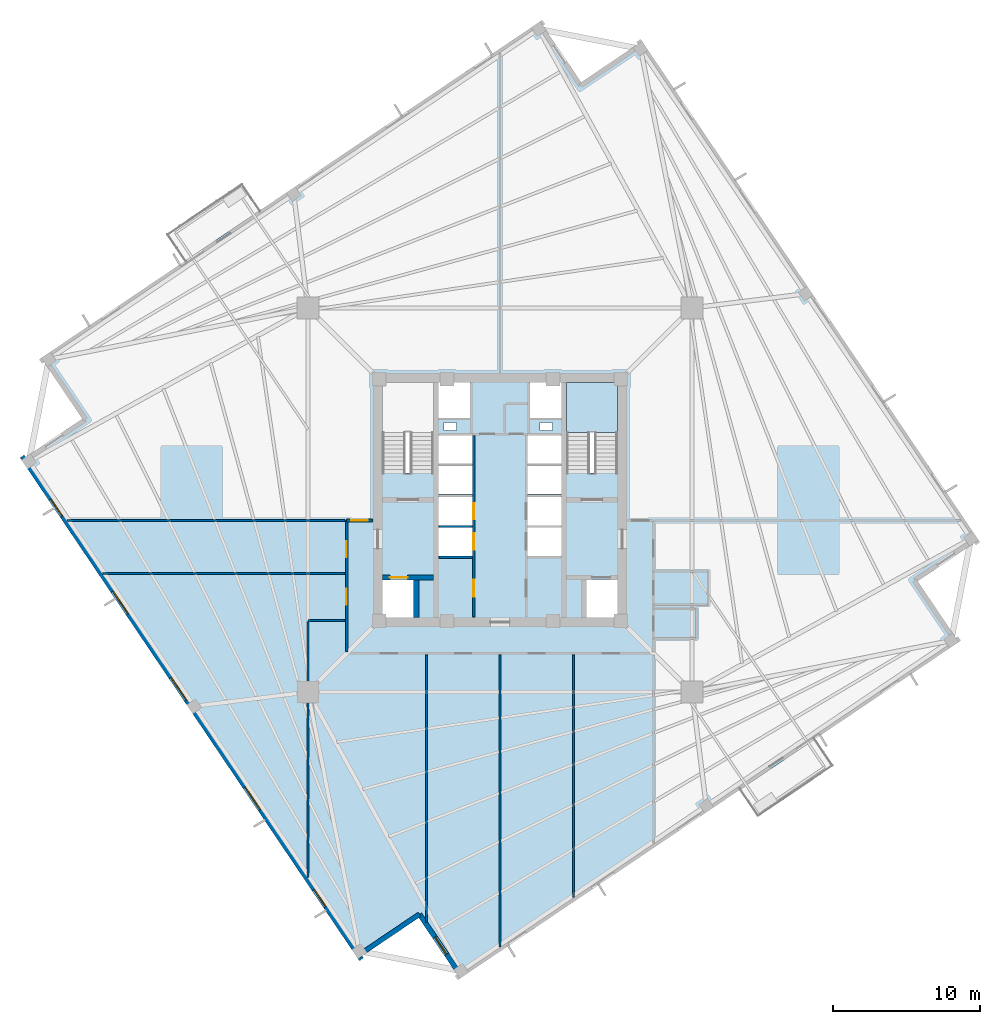
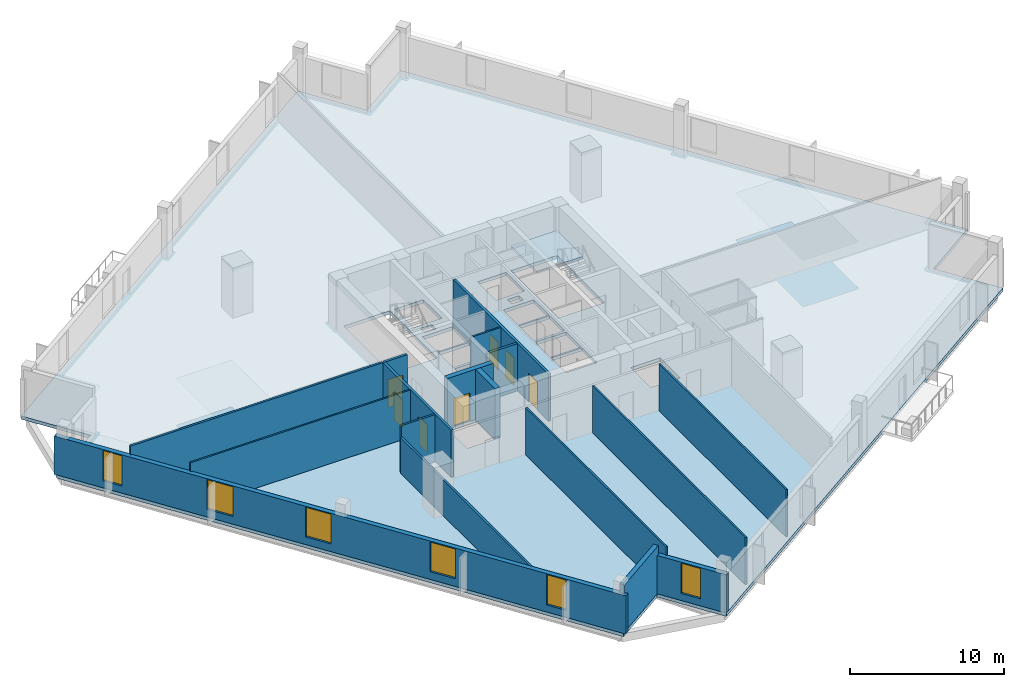
# One storey, part 2 of 8: 17 walls, 7 doors, 6 windows, 2 slabs, 13 openings, 1 element without a shape of its own.
"""IFC4 building model written with IfcOpenShell, lengths in metres."""

import ifcopenshell
import ifcopenshell.guid

model = None  # the IFC model being written
_history = None  # IfcOwnerHistory: only IFC2X3 demands one
_inside = {}  # id of a spatial element -> (the spatial element, [elements in it])
_under = {}  # id of a project, library or spatial element -> (it, [spatial elements below it])
_declared = {}  # id of a project -> (the project, [libraries it declares])
_typed = {}  # id of a type object -> (the type object, [elements of that type])
_made_of = {}  # id of a material, layer set ... -> (it, [elements and type objects made of it])


def new_model(schema):
    """Start an empty IFC model of exactly this schema.

    Asked for "IFC4X3", IfcOpenShell would pick the latest addendum, in which some entities
    have other attributes; the version numbers below select the first issue.
    IFC2X3 requires an IfcOwnerHistory on every rooted entity: one is made here for all.
    """
    global model, _history
    if schema == "IFC4X3":
        model = ifcopenshell.file(schema_version=(4, 3, 0, 0))
    else:
        model = ifcopenshell.file(schema=schema)
    _inside.clear()
    _under.clear()
    _declared.clear()
    _typed.clear()
    _made_of.clear()
    _history = None
    if model.schema == "IFC2X3":
        org = make("IfcOrganization", Name="unknown")
        user = make(
            "IfcPersonAndOrganization",
            ThePerson=make("IfcPerson", FamilyName="unknown"),
            TheOrganization=org,
        )
        app = make(
            "IfcApplication",
            ApplicationDeveloper=org,
            Version="unknown",
            ApplicationFullName="unknown",
            ApplicationIdentifier="unknown",
        )
        _history = make(
            "IfcOwnerHistory",
            OwningUser=user,
            OwningApplication=app,
            ChangeAction="ADDED",
            CreationDate=0,
        )
    return model


def make(cls, **values):
    """One entity of the class cls with the attributes given. An attribute that is None is left unset."""
    return model.create_entity(
        cls, **{name: value for name, value in values.items() if value is not None}
    )


def rooted(cls, **values):
    """An entity with a GlobalId (a new one), such as an element, a storey or a relation."""
    return make(cls, GlobalId=ifcopenshell.guid.new(), OwnerHistory=_history, **values)


def si_unit(unit_type, name, prefix=None):
    """IfcSIUnit, for example si_unit("LENGTHUNIT", "METRE", prefix="MILLI")."""
    return make("IfcSIUnit", UnitType=unit_type, Prefix=prefix, Name=name)


def assignment(units):
    """IfcUnitAssignment: the units of a project."""
    return None if units is None else make("IfcUnitAssignment", Units=units)


def point(xyz):
    """IfcCartesianPoint."""
    return None if xyz is None else make("IfcCartesianPoint", Coordinates=xyz)


def direction(xyz):
    """IfcDirection."""
    return None if xyz is None else make("IfcDirection", DirectionRatios=xyz)


def frame(location, z_axis=None, x_axis=None):
    """IfcAxis2Placement3D, a coordinate frame: its origin and axes. An axis left out is left unset."""
    return make(
        "IfcAxis2Placement3D",
        Location=point(location),
        Axis=direction(z_axis),
        RefDirection=direction(x_axis),
    )


def frame_2d(location, x_axis=None):
    """IfcAxis2Placement2D, a coordinate frame in the plane: its origin and x axis."""
    return make(
        "IfcAxis2Placement2D", Location=point(location), RefDirection=direction(x_axis)
    )


def origin():
    """The frame at (0, 0, 0) with its axes left unset."""
    return frame((0.0, 0.0, 0.0))


def place(relative_to, where):
    """IfcLocalPlacement: puts the frame where relative to a parent placement (None: the world)."""
    return make(
        "IfcLocalPlacement", PlacementRelTo=relative_to, RelativePlacement=where
    )


def context(
    kind, dimensions, precision=None, world=None, true_north=None, identifier=None
):
    """IfcGeometricRepresentationContext, for example the 3D "Model" context."""
    return make(
        "IfcGeometricRepresentationContext",
        ContextIdentifier=identifier,
        ContextType=kind,
        CoordinateSpaceDimension=dimensions,
        Precision=precision,
        WorldCoordinateSystem=world,
        TrueNorth=true_north,
    )


def subcontext(parent, identifier, kind, view, scale=None):
    """IfcGeometricRepresentationSubContext, for example "Body" below "Model"."""
    return make(
        "IfcGeometricRepresentationSubContext",
        ContextIdentifier=identifier,
        ContextType=kind,
        ParentContext=parent,
        TargetScale=scale,
        TargetView=view,
    )


def project(units=None, contexts=None):
    """IfcProject with its units and contexts."""
    return rooted(
        "IfcProject",
        Name="project",
        RepresentationContexts=contexts,
        UnitsInContext=assignment(units),
    )


def spatial(cls, under=None, at=None, **own):
    """A site, building, storey or space (cls), placed at a placement, below another one or the project."""
    s = rooted(cls, ObjectPlacement=at, **own)
    if under is not None:
        _under.setdefault(under.id(), (under, []))[1].append(s)
    return s


def polyline(points):
    """IfcPolyline through the points."""
    return make("IfcPolyline", Points=[point(p) for p in points])


def profile(cls, at=None, kind="AREA", **sizes):
    """A parametric profile (cls). Its sizes go by their IFC names, for example OverallWidth=200.0."""
    return make(cls, ProfileType=kind, Position=at, **sizes)


def rectangle(**sizes):
    """IfcRectangleProfileDef."""
    return profile("IfcRectangleProfileDef", **sizes)


def outline(outer, holes=None, kind="AREA"):
    """IfcArbitraryClosedProfileDef: a profile drawn as a closed curve; with holes, ...WithVoids."""
    if holes is None:
        return make("IfcArbitraryClosedProfileDef", ProfileType=kind, OuterCurve=outer)
    return make(
        "IfcArbitraryProfileDefWithVoids",
        ProfileType=kind,
        OuterCurve=outer,
        InnerCurves=holes,
    )


def extrude(swept, where, along, depth):
    """IfcExtrudedAreaSolid: the profile swept, set in the frame where, extruded along a direction by depth."""
    return make(
        "IfcExtrudedAreaSolid",
        SweptArea=swept,
        Position=where,
        ExtrudedDirection=direction(along),
        Depth=depth,
    )


def shape(context_of_items, identifier, shape_type, items):
    """IfcShapeRepresentation: the items that make up one representation, for example the "Body"."""
    return make(
        "IfcShapeRepresentation",
        ContextOfItems=context_of_items,
        RepresentationIdentifier=identifier,
        RepresentationType=shape_type,
        Items=items,
    )


def source(mapping_origin, context_of_items, identifier, shape_type, items):
    """IfcRepresentationMap: a shape defined once, which mapped items show again and again."""
    return make(
        "IfcRepresentationMap",
        MappingOrigin=mapping_origin,
        MappedRepresentation=shape(context_of_items, identifier, shape_type, items),
    )


def transform(
    local_origin,
    x_axis=None,
    y_axis=None,
    z_axis=None,
    scale=None,
    scale2=None,
    scale3=None,
    uniform=True,
):
    """IfcCartesianTransformationOperator3D, or its non-uniform kind. x_axis, y_axis, z_axis: its Axis1, 2, 3."""
    if uniform:
        return make(
            "IfcCartesianTransformationOperator3D",
            Axis1=direction(x_axis),
            Axis2=direction(y_axis),
            LocalOrigin=point(local_origin),
            Scale=scale,
            Axis3=direction(z_axis),
        )
    return make(
        "IfcCartesianTransformationOperator3DnonUniform",
        Axis1=direction(x_axis),
        Axis2=direction(y_axis),
        LocalOrigin=point(local_origin),
        Scale=scale,
        Axis3=direction(z_axis),
        Scale2=scale2,
        Scale3=scale3,
    )


def mapped(mapping_source, mapping_target):
    """IfcMappedItem: shows the shape of a source again, moved by a transform."""
    return make(
        "IfcMappedItem", MappingSource=mapping_source, MappingTarget=mapping_target
    )


def material(Name=None, Category=None):
    """IfcMaterial."""
    return make("IfcMaterial", Name=Name, Category=Category)


def layer(
    of_material, thickness, ventilated=None, Name=None, Category=None, Priority=None
):
    """IfcMaterialLayer: one layer of a wall or slab, of a material (None: an air gap)."""
    return make(
        "IfcMaterialLayer",
        Material=of_material,
        LayerThickness=thickness,
        IsVentilated=ventilated,
        Name=Name,
        Category=Category,
        Priority=Priority,
    )


def layer_set(layers, Name=None):
    """IfcMaterialLayerSet."""
    return make("IfcMaterialLayerSet", MaterialLayers=layers, LayerSetName=Name)


def made_of(thing, what):
    """Note that an element or type object is made of a material, layer set ...; save() writes the relation."""
    if what is not None:
        _made_of.setdefault(what.id(), (what, []))[1].append(thing)
    return thing


def type_object(cls, material=None, **own):
    """A type object (cls), such as IfcWallType, which elements share."""
    return made_of(rooted(cls, **own), material)


def element(
    cls,
    number,
    at=None,
    inside=None,
    cuts=None,
    type_object=None,
    material=None,
    context=None,
    identifier="Body",
    shape_type=None,
    held_by="IfcProductDefinitionShape",
    body=None,
    shapes=None,
    **own,
):
    """One element of the class cls, such as IfcWall. Its Tag is "e" and its number.

    at: its placement. inside: the storey or other place that contains it. cuts: it is an
    opening in that element (IfcRelVoidsElement). A single representation is given by context,
    identifier, shape_type and body (its items); several are given by shapes. held_by: the class
    of the entity that holds the representations. save() writes the other relations.
    """
    e = rooted(cls, Tag="e%d" % number, ObjectPlacement=at, **own)
    if body is not None:
        shapes = [shape(context, identifier, shape_type, body)]
    if shapes is not None:
        e.Representation = make(held_by, Representations=shapes)
    if inside is not None:
        _inside.setdefault(inside.id(), (inside, []))[1].append(e)
    if cuts is not None:
        rooted(
            "IfcRelVoidsElement", RelatingBuildingElement=cuts, RelatedOpeningElement=e
        )
    if type_object is not None:
        _typed.setdefault(type_object.id(), (type_object, []))[1].append(e)
    return made_of(e, material)


def fill(opening, filler):
    """IfcRelFillsElement: the door or window that sits in an opening."""
    return rooted(
        "IfcRelFillsElement",
        RelatingOpeningElement=opening,
        RelatedBuildingElement=filler,
    )


def aggregate(whole, parts):
    """IfcRelAggregates: a whole, such as a stair, and the parts it consists of."""
    return rooted("IfcRelAggregates", RelatingObject=whole, RelatedObjects=parts)


def save(model, path):
    """Write the relations noted so far, then the file.

    IfcRelAggregates (storeys below a building ...), IfcRelContainedInSpatialStructure (elements
    in a storey), IfcRelDefinesByType, IfcRelAssociatesMaterial and IfcRelDeclares: one each for
    every whole, place, type object, material and project.
    """
    for whole, parts in _under.values():
        aggregate(whole, parts)
    for where, things in _inside.values():
        rooted(
            "IfcRelContainedInSpatialStructure",
            RelatedElements=things,
            RelatingStructure=where,
        )
    for kind, things in _typed.values():
        rooted("IfcRelDefinesByType", RelatedObjects=things, RelatingType=kind)
    for what, things in _made_of.values():
        rooted("IfcRelAssociatesMaterial", RelatedObjects=things, RelatingMaterial=what)
    for by, libraries in _declared.values():
        rooted("IfcRelDeclares", RelatingContext=by, RelatedDefinitions=libraries)
    model.write(path)


model = new_model("IFC4")

# Units and contexts
model_context = context("Model", 3, precision=1e-05, world=origin(), true_north=direction((0.0, 1.0)))
body_context = subcontext(model_context, "Body", "Model", "MODEL_VIEW")
ifc_project = project(units=[si_unit("LENGTHUNIT", "METRE"), si_unit("AREAUNIT", "SQUARE_METRE"), si_unit("VOLUMEUNIT", "CUBIC_METRE"), si_unit("PLANEANGLEUNIT", "RADIAN"), si_unit("MASSUNIT", "GRAM", prefix="KILO"), si_unit("THERMODYNAMICTEMPERATUREUNIT", "KELVIN")], contexts=[model_context])

# Site, building, storey
site_placement = place(None, origin())
site = spatial("IfcSite", under=ifc_project, at=site_placement, CompositionType="ELEMENT")
building_placement = place(site_placement, origin())
building = spatial("IfcBuilding", under=site, at=building_placement, Name="Kosmvard Interchange Tower", CompositionType="ELEMENT")
storey_placement = place(building_placement, frame((0.0, 0.0, 148.39990234375)))
storey = spatial("IfcBuildingStorey", under=building, at=storey_placement, Name="L35", CompositionType="ELEMENT", Elevation=148.39990234375)

# Slab
ifc_material_1 = material(Name="Concrete C50/60", Category="concrete")
ifc_layer_1 = layer(ifc_material_1, 0.260009765625, Name="Concrete C50/60")
ifc_layer_set_1 = layer_set([ifc_layer_1], Name="Concrete C50/60")
slab_type_1 = type_object("IfcSlabType", Name="Mid-Rise Office Composite Slab 260 C50/60", PredefinedType="FLOOR", material=ifc_layer_set_1)
slab_1_placement = place(storey_placement, frame((0.0, 0.0, -0.260009765625)))
element("IfcSlab", 1, at=slab_1_placement, inside=storey, type_object=slab_type_1, Name="L35 Structural Floor Slab", PredefinedType="FLOOR", context=body_context, shape_type="SweptSolid", body=[
    extrude(outline(polyline([(-2.73583984375, -32.60400390625), (31.254638671875, -9.677001953125), (28.458740234375, -5.53173828125), (32.60400390625, -2.73583984375), (9.677001953125, 31.254638671875), (5.53173828125, 28.458740234375), (2.73583984375, 32.60400390625), (-31.254638671875, 9.677001953125), (-28.458740234375, 5.53173828125), (-32.60400390625, 2.73583984375), (-9.677001953125, -31.254638671875), (-5.53173828125, -28.458740234375), (-2.73583984375, -32.60400390625)]), holes=[polyline([(-8.0, 1.8349609375), (-4.5400390625, 1.8349609375), (-4.5400390625, 8.0), (-8.0, 8.0), (-8.0, 1.8349609375)]), polyline([(4.5400390625, 1.8349609375), (8.0, 1.8349609375), (8.0, 8.0), (4.5400390625, 8.0), (4.5400390625, 1.8349609375)]), polyline([(-8.0, -8.0), (-5.800048828125, -8.0), (-5.800048828125, -5.39990234375), (-8.0, -5.39990234375), (-8.0, -8.0)]), polyline([(5.800048828125, -8.0), (8.0, -8.0), (8.0, -5.39990234375), (5.800048828125, -5.39990234375), (5.800048828125, -8.0)]), polyline([(-4.179931640625, -3.800048828125), (-1.8798828125, -3.800048828125), (-1.8798828125, -1.860107421875), (-4.179931640625, -1.860107421875), (-4.179931640625, -3.800048828125)]), polyline([(-4.179931640625, -1.739990234375), (-1.8798828125, -1.739990234375), (-1.8798828125, 0.199951171875), (-4.179931640625, 0.199951171875), (-4.179931640625, -1.739990234375)]), polyline([(1.8798828125, -3.800048828125), (4.179931640625, -3.800048828125), (4.179931640625, -1.860107421875), (1.8798828125, -1.860107421875), (1.8798828125, -3.800048828125)]), polyline([(1.8798828125, -1.739990234375), (4.179931640625, -1.739990234375), (4.179931640625, 0.199951171875), (1.8798828125, 0.199951171875), (1.8798828125, -1.739990234375)]), polyline([(-4.179931640625, 0.39990234375), (-1.8798828125, 0.39990234375), (-1.8798828125, 2.340087890625), (-4.179931640625, 2.340087890625), (-4.179931640625, 0.39990234375)]), polyline([(-4.179931640625, 2.4599609375), (-1.8798828125, 2.4599609375), (-1.8798828125, 4.39990234375), (-4.179931640625, 4.39990234375), (-4.179931640625, 2.4599609375)]), polyline([(1.8798828125, 0.39990234375), (4.179931640625, 0.39990234375), (4.179931640625, 2.340087890625), (1.8798828125, 2.340087890625), (1.8798828125, 0.39990234375)]), polyline([(1.8798828125, 2.4599609375), (4.179931640625, 2.4599609375), (4.179931640625, 4.39990234375), (1.8798828125, 4.39990234375), (1.8798828125, 2.4599609375)]), polyline([(-4.179931640625, 5.60009765625), (-2.0400390625, 5.60009765625), (-2.0400390625, 8.0), (-4.179931640625, 8.0), (-4.179931640625, 5.60009765625)]), polyline([(2.0400390625, 5.60009765625), (4.179931640625, 5.60009765625), (4.179931640625, 8.0), (2.0400390625, 8.0), (2.0400390625, 5.60009765625)]), polyline([(-3.81494140625, 4.739990234375), (-2.965087890625, 4.739990234375), (-2.965087890625, 5.2900390625), (-3.81494140625, 5.2900390625), (-3.81494140625, 4.739990234375)]), polyline([(2.715087890625, 4.739990234375), (3.56494140625, 4.739990234375), (3.56494140625, 5.2900390625), (2.715087890625, 5.2900390625), (2.715087890625, 4.739990234375)])]), origin(), (0.0, 0.0, 1.0), 0.260009765625),
])

# Stair, slab
stair_type = type_object("IfcStairType", Name="Dog-Leg Core Exit Stair H4000 C50/60", PredefinedType="HALF_TURN_STAIR", material=ifc_material_1)
stair_placement = place(storey_placement, origin())
stair = element("IfcStair", 2, at=stair_placement, inside=storey, type_object=stair_type, Name="L35 Protected Exit Stair ST-2", PredefinedType="HALF_TURN_STAIR")
ifc_layer_2 = layer(ifc_material_1, 0.199951171875, Name="Concrete C50/60")
ifc_layer_set_2 = layer_set([ifc_layer_2], Name="Concrete C50/60")
slab_type_2 = type_object("IfcSlabType", Name="Stair Half-Landing Slab 200 C50/60", PredefinedType="LANDING", material=ifc_layer_set_2)
slab_2_placement = place(storey_placement, frame((0.0, 0.0, 1.800048828125)))
slab_2 = element("IfcSlab", 3, at=slab_2_placement, type_object=slab_type_2, Name="ST-2 landing 1", PredefinedType="LANDING", context=body_context, shape_type="SweptSolid", body=[
    extrude(outline(polyline([(8.0, 4.60009765625), (8.0, 8.0), (4.5400390625, 8.0), (4.5400390625, 4.60009765625), (8.0, 4.60009765625)])), origin(), (0.0, 0.0, 1.0), 0.199951171875),
])
aggregate(stair, [slab_2])

# Walls
ifc_material_2 = material(Name="Acoustic gypsum partition system")
ifc_layer_3 = layer(ifc_material_2, 0.14990234375, Name="Acoustic gypsum partition system")
ifc_layer_set_3 = layer_set([ifc_layer_3], Name="Acoustic gypsum partition system")
wall_type_1 = type_object("IfcWallType", Name="Acoustic Suite & Meeting Partition 150", PredefinedType="PARTITIONING", material=ifc_layer_set_3)
wall_1_placement = place(storey_placement, frame((-29.482421875, -1.39990234375, 0.0), z_axis=(0.0, 0.0, 1.0), x_axis=(1.0, 0.0, 0.0)))
element("IfcWall", 4, at=wall_1_placement, inside=storey, type_object=wall_type_1, Name="L35 Room Partition 02.1", PredefinedType="PARTITIONING", context=body_context, shape_type="SweptSolid", body=[
    extrude(rectangle(XDim=18.9375, YDim=0.14990234375, at=frame_2d((9.46875, 0.0))), origin(), (0.0, 0.0, 1.0), 3.739990234375),
])
wall_2_placement = place(storey_placement, frame((-10.544921875, -8.199951171875, 0.0), z_axis=(0.0, 0.0, 1.0), x_axis=(-1.0, 0.0, 0.0)))
element("IfcWall", 5, at=wall_2_placement, inside=storey, type_object=wall_type_1, Name="L35 Room Partition 04.1", PredefinedType="PARTITIONING", context=body_context, shape_type="SweptSolid", body=[
    extrude(rectangle(XDim=2.5361328125, YDim=0.14990234375, at=frame_2d((1.26806640625, 0.0))), origin(), (0.0, 0.0, 1.0), 3.739990234375),
])
wall_3_placement = place(storey_placement, frame((-13.0810546875, -8.27490234375, 0.0), z_axis=(0.0, 0.0, 1.0), x_axis=(0.0, -1.0, 0.0)))
element("IfcWall", 6, at=wall_3_placement, inside=storey, type_object=wall_type_1, Name="L35 Room Partition 05.1", PredefinedType="PARTITIONING", context=body_context, shape_type="SweptSolid", body=[
    extrude(rectangle(XDim=17.44140625, YDim=0.14990234375, at=frame_2d((8.720703125, 0.0))), origin(), (0.0, 0.0, 1.0), 2.840087890625),
])

# Wall, openings, doors
ifc_material_3 = material(Name="Fire-rated gypsum partition system")
ifc_layer_4 = layer(ifc_material_3, 0.179931640625, Name="Fire-rated gypsum partition system")
ifc_layer_set_4 = layer_set([ifc_layer_4], Name="Fire-rated gypsum partition system")
wall_type_2 = type_object("IfcWallType", Name="Corridor & Hotel Compartment Partition 180", PredefinedType="PARTITIONING", material=ifc_layer_set_4)
wall_4_placement = place(storey_placement, frame((-1.7900390625, -7.97998046875, 0.0), z_axis=(0.0, 0.0, 1.0), x_axis=(0.0, 1.0, 0.0)))
wall_4 = element("IfcWall", 7, at=wall_4_placement, inside=storey, type_object=wall_type_2, Name="L35 West Lift Bank Front Wall", PredefinedType="PARTITIONING", context=body_context, shape_type="SweptSolid", body=[
    extrude(rectangle(XDim=12.3798828125, YDim=0.179931640625, at=frame_2d((6.18994140625, 0.0))), origin(), (0.0, 0.0, 1.0), 3.739990234375),
])
opening_1_placement = place(wall_4_placement, frame((4.60009765625, 0.0, 0.0)))
opening_1 = element("IfcOpeningElement", 8, at=opening_1_placement, cuts=wall_4, Name="Opening LD-PL-M1-L35", PredefinedType="OPENING", context=body_context, shape_type="SweptSolid", body=[
    extrude(rectangle(XDim=1.10009765625, YDim=2.199951171875, at=frame_2d((0.550048828125, 1.10009765625))), frame((0.0, 0.10009765625, 0.0), z_axis=(0.0, -1.0, 0.0), x_axis=(1.0, 0.0, 0.0)), (0.0, 0.0, 1.0), 0.199951171875),
])
opening_2_placement = place(wall_4_placement, frame((6.659912109375, 0.0, 0.0)))
opening_2 = element("IfcOpeningElement", 9, at=opening_2_placement, cuts=wall_4, Name="Opening LD-PL-M2-L35", PredefinedType="OPENING", context=body_context, shape_type="SweptSolid", body=[
    extrude(rectangle(XDim=1.10009765625, YDim=2.199951171875, at=frame_2d((0.550048828125, 1.10009765625))), frame((0.0, 0.10009765625, 0.0), z_axis=(0.0, -1.0, 0.0), x_axis=(1.0, 0.0, 0.0)), (0.0, 0.0, 1.0), 0.199951171875),
])
opening_3_placement = place(wall_4_placement, frame((1.39990234375, 0.0, 0.0)))
opening_3 = element("IfcOpeningElement", 10, at=opening_3_placement, cuts=wall_4, Name="Opening L35-CD1", PredefinedType="OPENING", context=body_context, shape_type="SweptSolid", body=[
    extrude(rectangle(XDim=1.14990234375, YDim=2.25, at=frame_2d((0.574951171875, 1.125))), frame((0.0, 0.10009765625, 0.0), z_axis=(0.0, -1.0, 0.0), x_axis=(1.0, 0.0, 0.0)), (0.0, 0.0, 1.0), 0.199951171875),
])
ifc_material_4 = material(Name="Painted fire-rated steel leaf", Category="steel")
door_type_1 = type_object("IfcDoorType", Name="Plant & Riser Fire Door 1150x2250 EI60", OperationType="NOTDEFINED", PredefinedType="DOOR", material=ifc_material_4)
shared_shape_1 = source(origin(), body_context, "Body", "SweptSolid", [
    extrude(rectangle(XDim=1.14990234375, YDim=2.25, at=frame_2d((0.574951171875, 1.125))), frame((0.0, 0.02490234375, 0.0), z_axis=(0.0, -1.0, 0.0), x_axis=(1.0, 0.0, 0.0)), (0.0, 0.0, 1.0), 0.050048828125),
])
door_1_placement = place(opening_3_placement, origin())
door_1 = element("IfcDoor", 11, at=door_1_placement, inside=storey, type_object=door_type_1, Name="L35 Core Switch Door", OperationType="SINGLE_SWING_LEFT", OverallHeight=2.25, OverallWidth=1.14990234375, PredefinedType="DOOR", context=body_context, shape_type="MappedRepresentation", body=[
    mapped(shared_shape_1, transform((0.0, 0.0, 0.0), scale=1.0)),
])
fill(opening_3, door_1)
ifc_material_5 = material(Name="Brushed stainless steel sliding leaf", Category="steel")
door_type_2 = type_object("IfcDoorType", Name="Passenger Lift Sliding Landing Door 1100x2200 EI60", OperationType="DOUBLE_DOOR_SLIDING", PredefinedType="DOOR", material=ifc_material_5)
shared_shape_2 = source(origin(), body_context, "Body", "SweptSolid", [
    extrude(rectangle(XDim=1.10009765625, YDim=2.199951171875, at=frame_2d((0.550048828125, 1.10009765625))), frame((0.0, 0.02490234375, 0.0), z_axis=(0.0, -1.0, 0.0), x_axis=(1.0, 0.0, 0.0)), (0.0, 0.0, 1.0), 0.050048828125),
])
door_2_placement = place(opening_1_placement, frame((1.10009765625, 0.0, 0.0), z_axis=(0.0, 0.0, 1.0), x_axis=(-1.0, 0.0, 0.0)))
door_2 = element("IfcDoor", 12, at=door_2_placement, inside=storey, type_object=door_type_2, Name="Lift PL-M1 Landing Door L35", OperationType="DOUBLE_DOOR_SLIDING", OverallHeight=2.199951171875, OverallWidth=1.10009765625, PredefinedType="DOOR", context=body_context, shape_type="MappedRepresentation", body=[
    mapped(shared_shape_2, transform((0.0, 0.0, 0.0), scale=1.0)),
])
fill(opening_1, door_2)
door_3_placement = place(opening_2_placement, frame((1.10009765625, 0.0, 0.0), z_axis=(0.0, 0.0, 1.0), x_axis=(-1.0, 0.0, 0.0)))
door_3 = element("IfcDoor", 13, at=door_3_placement, inside=storey, type_object=door_type_2, Name="Lift PL-M2 Landing Door L35", OperationType="DOUBLE_DOOR_SLIDING", OverallHeight=2.199951171875, OverallWidth=1.10009765625, PredefinedType="DOOR", context=body_context, shape_type="MappedRepresentation", body=[
    mapped(shared_shape_2, transform((0.0, 0.0, 0.0), scale=1.0)),
])
fill(opening_2, door_3)

wall_5_placement = place(storey_placement, frame((-10.449951171875, -10.35009765625, 0.0), z_axis=(0.0, 0.0, 1.0), x_axis=(0.0, 1.0, 0.0)))
wall_5 = element("IfcWall", 14, at=wall_5_placement, inside=storey, type_object=wall_type_2, Name="L35 Corridor Wall CW", PredefinedType="PARTITIONING", context=body_context, shape_type="SweptSolid", body=[
    extrude(rectangle(XDim=8.9501953125, YDim=0.179931640625, at=frame_2d((4.47509765625, 0.0))), origin(), (0.0, 0.0, 1.0), 3.739990234375),
])
opening_4_placement = place(wall_5_placement, frame((6.435546875, 0.0, 0.0)))
opening_4 = element("IfcOpeningElement", 15, at=opening_4_placement, cuts=wall_5, Name="Opening L35-D05", PredefinedType="OPENING", context=body_context, shape_type="SweptSolid", body=[
    extrude(rectangle(XDim=1.10009765625, YDim=2.199951171875, at=frame_2d((0.550048828125, 1.10009765625))), frame((0.0, 0.10009765625, 0.0), z_axis=(0.0, -1.0, 0.0), x_axis=(1.0, 0.0, 0.0)), (0.0, 0.0, 1.0), 0.199951171875),
])
opening_5_placement = place(wall_5_placement, frame((3.199951171875, 0.0, 0.0)))
opening_5 = element("IfcOpeningElement", 16, at=opening_5_placement, cuts=wall_5, Name="Opening L35-D06", PredefinedType="OPENING", context=body_context, shape_type="SweptSolid", body=[
    extrude(rectangle(XDim=1.10009765625, YDim=2.199951171875, at=frame_2d((0.550048828125, 1.10009765625))), frame((0.0, 0.10009765625, 0.0), z_axis=(0.0, -1.0, 0.0), x_axis=(1.0, 0.0, 0.0)), (0.0, 0.0, 1.0), 0.199951171875),
])
ifc_material_6 = material(Name="Engineered oak fire-rated timber", Category="wood")
door_type_3 = type_object("IfcDoorType", Name="Office Suite Entrance Door 1100x2200 FD30S", OperationType="NOTDEFINED", PredefinedType="DOOR", material=ifc_material_6)
door_4_placement = place(opening_4_placement, origin())
door_4 = element("IfcDoor", 17, at=door_4_placement, inside=storey, type_object=door_type_3, Name="L35 Tech Hub Pantry Door", OperationType="SINGLE_SWING_LEFT", OverallHeight=2.199951171875, OverallWidth=1.10009765625, PredefinedType="DOOR", context=body_context, shape_type="MappedRepresentation", body=[
    mapped(shared_shape_2, transform((0.0, 0.0, 0.0), scale=1.0)),
])
fill(opening_4, door_4)
door_5_placement = place(opening_5_placement, origin())
door_5 = element("IfcDoor", 18, at=door_5_placement, inside=storey, type_object=door_type_3, Name="L35 West Systems Office 1 Door", OperationType="SINGLE_SWING_RIGHT", OverallHeight=2.199951171875, OverallWidth=1.10009765625, PredefinedType="DOOR", context=body_context, shape_type="MappedRepresentation", body=[
    mapped(shared_shape_2, transform((0.0, 0.0, 0.0), scale=1.0)),
])
fill(opening_5, door_5)

# Wall, opening, door
wall_6_placement = place(storey_placement, frame((-10.449951171875, -1.39990234375, 0.0), z_axis=(0.0, 0.0, 1.0), x_axis=(1.0, 0.0, 0.0)))
wall_6 = element("IfcWall", 19, at=wall_6_placement, inside=storey, type_object=wall_type_2, Name="L35 Corridor Wall CNW", PredefinedType="PARTITIONING", context=body_context, shape_type="SweptSolid", body=[
    extrude(rectangle(XDim=1.75, YDim=0.179931640625, at=frame_2d((0.875, 0.0))), origin(), (0.0, 0.0, 1.0), 3.739990234375),
])
opening_6_placement = place(wall_6_placement, frame((0.324951171875, 0.0, 0.0)))
opening_6 = element("IfcOpeningElement", 20, at=opening_6_placement, cuts=wall_6, Name="Opening L35-D03", PredefinedType="OPENING", context=body_context, shape_type="SweptSolid", body=[
    extrude(rectangle(XDim=1.10009765625, YDim=2.199951171875, at=frame_2d((0.550048828125, 1.10009765625))), frame((0.0, 0.10009765625, 0.0), z_axis=(0.0, -1.0, 0.0), x_axis=(1.0, 0.0, 0.0)), (0.0, 0.0, 1.0), 0.199951171875),
])
door_6_placement = place(opening_6_placement, origin())
door_6 = element("IfcDoor", 21, at=door_6_placement, inside=storey, type_object=door_type_3, Name="L35 North-West Technology Workplace Door", OperationType="SINGLE_SWING_LEFT", OverallHeight=2.199951171875, OverallWidth=1.10009765625, PredefinedType="DOOR", context=body_context, shape_type="MappedRepresentation", body=[
    mapped(shared_shape_2, transform((0.0, 0.0, 0.0), scale=1.0)),
])
fill(opening_6, door_6)

# Wall, openings, windows
ifc_material_7 = material(Name="Precast concrete C45/55", Category="concrete")
ifc_layer_5 = layer(ifc_material_7, 0.340087890625, Name="Precast concrete C45/55")
ifc_layer_set_5 = layer_set([ifc_layer_5], Name="Precast concrete C45/55")
wall_type_3 = type_object("IfcWallType", Name="Mid Tower Precast Pier Wall 340 C45/55", PredefinedType="STANDARD", material=ifc_layer_set_5)
wall_7_placement = place(storey_placement, frame((-32.55810546875, 2.971923828125, 0.0), z_axis=(0.0, 0.0, 1.0), x_axis=(0.559194910251, -0.829036218961, 0.0)))
wall_7 = element("IfcWall", 22, at=wall_7_placement, inside=storey, type_object=wall_type_3, Name="L35 Precast Facade Wall F-W", PredefinedType="STANDARD", context=body_context, shape_type="SweptSolid", body=[
    extrude(rectangle(XDim=41.340087890625, YDim=0.340087890625, at=frame_2d((20.669921875, 0.0))), origin(), (0.0, 0.0, 1.0), 3.0400390625),
])
opening_7_placement = place(wall_7_placement, frame((3.5107421875, 0.0, 0.56005859375)))
opening_7 = element("IfcOpeningElement", 23, at=opening_7_placement, cuts=wall_7, Name="Opening L35-W16", PredefinedType="OPENING", context=body_context, shape_type="SweptSolid", body=[
    extrude(rectangle(XDim=1.39990234375, YDim=2.39990234375, at=frame_2d((0.699951171875, 1.199951171875))), frame((0.0, 0.18017578125, 0.0), z_axis=(0.0, -1.0, 0.0), x_axis=(1.0, 0.0, 0.0)), (0.0, 0.0, 1.0), 0.360107421875),
])
opening_8_placement = place(wall_7_placement, frame((11.063720703125, 0.0, 0.610107421875)))
opening_8 = element("IfcOpeningElement", 24, at=opening_8_placement, cuts=wall_7, Name="Opening L35-W17", PredefinedType="OPENING", context=body_context, shape_type="SweptSolid", body=[
    extrude(rectangle(XDim=1.85009765625, YDim=2.35009765625, at=frame_2d((0.925048828125, 1.175048828125))), frame((0.0, 0.18017578125, 0.0), z_axis=(0.0, -1.0, 0.0), x_axis=(1.0, 0.0, 0.0)), (0.0, 0.0, 1.0), 0.360107421875),
])
opening_9_placement = place(wall_7_placement, frame((18.168212890625, 0.0, 0.610107421875)))
opening_9 = element("IfcOpeningElement", 25, at=opening_9_placement, cuts=wall_7, Name="Opening L35-W18", PredefinedType="OPENING", context=body_context, shape_type="SweptSolid", body=[
    extrude(rectangle(XDim=1.85009765625, YDim=2.35009765625, at=frame_2d((0.925048828125, 1.175048828125))), frame((0.0, 0.18017578125, 0.0), z_axis=(0.0, -1.0, 0.0), x_axis=(1.0, 0.0, 0.0)), (0.0, 0.0, 1.0), 0.360107421875),
])
opening_10_placement = place(wall_7_placement, frame((27.186279296875, 0.0, 0.610107421875)))
opening_10 = element("IfcOpeningElement", 26, at=opening_10_placement, cuts=wall_7, Name="Opening L35-W19", PredefinedType="OPENING", context=body_context, shape_type="SweptSolid", body=[
    extrude(rectangle(XDim=1.85009765625, YDim=2.35009765625, at=frame_2d((0.925048828125, 1.175048828125))), frame((0.0, 0.18017578125, 0.0), z_axis=(0.0, -1.0, 0.0), x_axis=(1.0, 0.0, 0.0)), (0.0, 0.0, 1.0), 0.360107421875),
])
opening_11_placement = place(wall_7_placement, frame((35.602294921875, 0.0, 0.56005859375)))
opening_11 = element("IfcOpeningElement", 27, at=opening_11_placement, cuts=wall_7, Name="Opening L35-W20", PredefinedType="OPENING", context=body_context, shape_type="SweptSolid", body=[
    extrude(rectangle(XDim=1.39990234375, YDim=2.39990234375, at=frame_2d((0.699951171875, 1.199951171875))), frame((0.0, 0.18017578125, 0.0), z_axis=(0.0, -1.0, 0.0), x_axis=(1.0, 0.0, 0.0)), (0.0, 0.0, 1.0), 0.360107421875),
])
ifc_material_8 = material(Name="Low-E solar-control double glazing", Category="glass")
window_type_1 = type_object("IfcWindowType", Name="Notched Corner Feature Window 1400x2400", PartitioningType="SINGLE_PANEL", PredefinedType="WINDOW", material=ifc_material_8)
shared_shape_3 = source(origin(), body_context, "Body", "SweptSolid", [
    extrude(rectangle(XDim=1.39990234375, YDim=2.39990234375, at=frame_2d((0.699951171875, 1.199951171875))), frame((0.0, 0.030029296875, 0.0), z_axis=(0.0, -1.0, 0.0), x_axis=(1.0, 0.0, 0.0)), (0.0, 0.0, 1.0), 0.06005859375),
])
window_1_placement = place(opening_7_placement, origin())
window_1 = element("IfcWindow", 28, at=window_1_placement, inside=storey, type_object=window_type_1, Name="L35 Facade Punched Window 16", OverallHeight=2.39990234375, OverallWidth=1.39990234375, PartitioningType="SINGLE_PANEL", PredefinedType="WINDOW", context=body_context, shape_type="MappedRepresentation", body=[
    mapped(shared_shape_3, transform((0.0, 0.0, 0.0), scale=1.0)),
])
fill(opening_7, window_1)
window_2_placement = place(opening_11_placement, origin())
window_2 = element("IfcWindow", 29, at=window_2_placement, inside=storey, type_object=window_type_1, Name="L35 Facade Punched Window 20", OverallHeight=2.39990234375, OverallWidth=1.39990234375, PartitioningType="SINGLE_PANEL", PredefinedType="WINDOW", context=body_context, shape_type="MappedRepresentation", body=[
    mapped(shared_shape_3, transform((0.0, 0.0, 0.0), scale=1.0)),
])
fill(opening_11, window_2)
window_type_2 = type_object("IfcWindowType", Name="Zone 3 Office Punched Window 1850x2350", PartitioningType="SINGLE_PANEL", PredefinedType="WINDOW", material=ifc_material_8)
shared_shape_4 = source(origin(), body_context, "Body", "SweptSolid", [
    extrude(rectangle(XDim=1.85009765625, YDim=2.35009765625, at=frame_2d((0.925048828125, 1.175048828125))), frame((0.0, 0.030029296875, 0.0), z_axis=(0.0, -1.0, 0.0), x_axis=(1.0, 0.0, 0.0)), (0.0, 0.0, 1.0), 0.06005859375),
])
window_3_placement = place(opening_8_placement, origin())
window_3 = element("IfcWindow", 30, at=window_3_placement, inside=storey, type_object=window_type_2, Name="L35 Facade Punched Window 17", OverallHeight=2.35009765625, OverallWidth=1.85009765625, PartitioningType="SINGLE_PANEL", PredefinedType="WINDOW", context=body_context, shape_type="MappedRepresentation", body=[
    mapped(shared_shape_4, transform((0.0, 0.0, 0.0), scale=1.0)),
])
fill(opening_8, window_3)
window_4_placement = place(opening_9_placement, origin())
window_4 = element("IfcWindow", 31, at=window_4_placement, inside=storey, type_object=window_type_2, Name="L35 Facade Punched Window 18", OverallHeight=2.35009765625, OverallWidth=1.85009765625, PartitioningType="SINGLE_PANEL", PredefinedType="WINDOW", context=body_context, shape_type="MappedRepresentation", body=[
    mapped(shared_shape_4, transform((0.0, 0.0, 0.0), scale=1.0)),
])
fill(opening_9, window_4)
window_5_placement = place(opening_10_placement, origin())
window_5 = element("IfcWindow", 32, at=window_5_placement, inside=storey, type_object=window_type_2, Name="L35 Facade Punched Window 19", OverallHeight=2.35009765625, OverallWidth=1.85009765625, PartitioningType="SINGLE_PANEL", PredefinedType="WINDOW", context=body_context, shape_type="MappedRepresentation", body=[
    mapped(shared_shape_4, transform((0.0, 0.0, 0.0), scale=1.0)),
])
fill(opening_10, window_5)

# Wall
wall_8_placement = place(storey_placement, frame((-9.631103515625, -31.018798828125, 0.0), z_axis=(0.0, 0.0, 1.0), x_axis=(0.829025804298, 0.559210350234, 0.0)))
element("IfcWall", 33, at=wall_8_placement, inside=storey, type_object=wall_type_3, Name="L35 Precast Facade Wall N-SW1", PredefinedType="STANDARD", context=body_context, shape_type="SweptSolid", body=[
    extrude(rectangle(XDim=5.000244140625, YDim=0.340087890625, at=frame_2d((2.5, 0.0))), origin(), (0.0, 0.0, 1.0), 3.739990234375),
])

# Wall, opening, window
wall_9_placement = place(storey_placement, frame((-5.48583984375, -28.22265625, 0.0), z_axis=(0.0, 0.0, 1.0), x_axis=(0.559171107879, -0.82905227345, 0.0)))
wall_9 = element("IfcWall", 34, at=wall_9_placement, inside=storey, type_object=wall_type_3, Name="L35 Precast Facade Wall N-SW2", PredefinedType="STANDARD", context=body_context, shape_type="SweptSolid", body=[
    extrude(rectangle(XDim=5.169921875, YDim=0.340087890625, at=frame_2d((2.5849609375, 0.0))), origin(), (0.0, 0.0, 1.0), 3.0400390625),
])
opening_12_placement = place(wall_9_placement, frame((1.885009765625, 0.0, 0.56005859375)))
opening_12 = element("IfcOpeningElement", 35, at=opening_12_placement, cuts=wall_9, Name="Opening L35-W24", PredefinedType="OPENING", context=body_context, shape_type="SweptSolid", body=[
    extrude(rectangle(XDim=1.39990234375, YDim=2.39990234375, at=frame_2d((0.699951171875, 1.199951171875))), frame((0.0, 0.18017578125, 0.0), z_axis=(0.0, -1.0, 0.0), x_axis=(1.0, 0.0, 0.0)), (0.0, 0.0, 1.0), 0.360107421875),
])
window_6_placement = place(opening_12_placement, origin())
window_6 = element("IfcWindow", 36, at=window_6_placement, inside=storey, type_object=window_type_1, Name="L35 Corner Notch Window 24", OverallHeight=2.39990234375, OverallWidth=1.39990234375, PartitioningType="SINGLE_PANEL", PredefinedType="WINDOW", context=body_context, shape_type="MappedRepresentation", body=[
    mapped(shared_shape_3, transform((0.0, 0.0, 0.0), scale=1.0)),
])
fill(opening_12, window_6)

# Walls
ifc_material_9 = material(Name="Gypsum board partition system")
ifc_layer_6 = layer(ifc_material_9, 0.1201171875, Name="Gypsum board partition system")
ifc_layer_set_6 = layer_set([ifc_layer_6], Name="Gypsum board partition system")
wall_type_4 = type_object("IfcWallType", Name="Office Cellular Partition 120", PredefinedType="PARTITIONING", material=ifc_layer_set_6)
wall_10_placement = place(storey_placement, frame((-27.05419921875, -5.0, 0.0), z_axis=(0.0, 0.0, 1.0), x_axis=(1.0, 0.0, 0.0)))
element("IfcWall", 37, at=wall_10_placement, inside=storey, type_object=wall_type_4, Name="L35 Room Partition 06.1", PredefinedType="PARTITIONING", context=body_context, shape_type="SweptSolid", body=[
    extrude(rectangle(XDim=16.50927734375, YDim=0.1201171875, at=frame_2d((8.254638671875, 0.0))), origin(), (0.0, 0.0, 1.0), 3.739990234375),
])
wall_11_placement = place(storey_placement, frame((-5.0, -28.75537109375, 0.0), z_axis=(0.0, 0.0, 1.0), x_axis=(0.0, 1.0, 0.0)))
element("IfcWall", 38, at=wall_11_placement, inside=storey, type_object=wall_type_4, Name="L35 Room Partition 07.1", PredefinedType="PARTITIONING", context=body_context, shape_type="SweptSolid", body=[
    extrude(rectangle(XDim=18.21044921875, YDim=0.1201171875, at=frame_2d((9.105224609375, 0.0))), origin(), (0.0, 0.0, 1.0), 3.739990234375),
])
wall_12_placement = place(storey_placement, frame((0.0, -30.4267578125, 0.0), z_axis=(0.0, 0.0, 1.0), x_axis=(0.0, 1.0, 0.0)))
element("IfcWall", 39, at=wall_12_placement, inside=storey, type_object=wall_type_4, Name="L35 Room Partition 08.1", PredefinedType="PARTITIONING", context=body_context, shape_type="SweptSolid", body=[
    extrude(rectangle(XDim=19.8818359375, YDim=0.1201171875, at=frame_2d((9.94091796875, 0.0))), origin(), (0.0, 0.0, 1.0), 3.739990234375),
])
wall_13_placement = place(storey_placement, frame((5.0, -27.05419921875, 0.0), z_axis=(0.0, 0.0, 1.0), x_axis=(0.0, 1.0, 0.0)))
element("IfcWall", 40, at=wall_13_placement, inside=storey, type_object=wall_type_4, Name="L35 Room Partition 09.1", PredefinedType="PARTITIONING", context=body_context, shape_type="SweptSolid", body=[
    extrude(rectangle(XDim=16.50927734375, YDim=0.1201171875, at=frame_2d((8.254638671875, 0.0))), origin(), (0.0, 0.0, 1.0), 3.739990234375),
])
ifc_material_10 = material(Name="Concrete blockwork masonry", Category="masonry")
ifc_layer_7 = layer(ifc_material_10, 0.179931640625, Name="Concrete blockwork masonry")
ifc_layer_set_7 = layer_set([ifc_layer_7], Name="Concrete blockwork masonry")
wall_type_5 = type_object("IfcWallType", Name="Riser & Lift Bank Divider Wall 180", PredefinedType="PARTITIONING", material=ifc_layer_set_7)
wall_14_placement = place(storey_placement, frame((-4.169921875, -3.89990234375, 0.0), z_axis=(0.0, 0.0, 1.0), x_axis=(1.0, 0.0, 0.0)))
element("IfcWall", 41, at=wall_14_placement, inside=storey, type_object=wall_type_5, Name="L35 West Bank Divider BD1", PredefinedType="PARTITIONING", context=body_context, shape_type="SweptSolid", body=[
    extrude(rectangle(XDim=2.280029296875, YDim=0.179931640625, at=frame_2d((1.14013671875, 0.0))), origin(), (0.0, 0.0, 1.0), 3.739990234375),
])
ifc_material_11 = material(Name="Fire-rated gypsum shaftwall system")
ifc_layer_8 = layer(ifc_material_11, 0.1201171875, Name="Fire-rated gypsum shaftwall system")
ifc_layer_set_8 = layer_set([ifc_layer_8], Name="Fire-rated gypsum shaftwall system")
wall_type_6 = type_object("IfcWallType", Name="Shaft & Riser Fire Partition 120 EI60", PredefinedType="PARTITIONING", material=ifc_layer_set_8)
wall_15_placement = place(storey_placement, frame((-4.159912109375, -1.800048828125, 0.0), z_axis=(0.0, 0.0, 1.0), x_axis=(1.0, 0.0, 0.0)))
element("IfcWall", 42, at=wall_15_placement, inside=storey, type_object=wall_type_6, Name="L35 Shaft Divider PL-M1", PredefinedType="PARTITIONING", context=body_context, shape_type="SweptSolid", body=[
    extrude(rectangle(XDim=2.260009765625, YDim=0.1201171875, at=frame_2d((1.1298828125, 0.0))), origin(), (0.0, 0.0, 1.0), 3.739990234375),
])

# Wall, opening, door
ifc_material_12 = material(Name="Concrete C60/75", Category="concrete")
ifc_layer_9 = layer(ifc_material_12, 0.360107421875, Name="Concrete C60/75")
ifc_layer_set_9 = layer_set([ifc_layer_9], Name="Concrete C60/75")
wall_type_7 = type_object("IfcWallType", Name="Stair & Lift Shaft Shear Wall 360 C60/75", PredefinedType="SHEAR", material=ifc_layer_set_9)
wall_16_placement = place(storey_placement, frame((-8.0, -5.280029296875, 0.0), z_axis=(0.0, 0.0, 1.0), x_axis=(1.0, 0.0, 0.0)))
wall_16 = element("IfcWall", 43, at=wall_16_placement, inside=storey, type_object=wall_type_7, Name="L35 Shaft Shear Wall SW-FF1", PredefinedType="SHEAR", context=body_context, shape_type="SweptSolid", body=[
    extrude(rectangle(XDim=3.4599609375, YDim=0.360107421875, at=frame_2d((1.72998046875, 0.0))), origin(), (0.0, 0.0, 1.0), 4.0),
])
opening_13_placement = place(wall_16_placement, frame((0.5, 0.0, 0.0)))
opening_13 = element("IfcOpeningElement", 44, at=opening_13_placement, cuts=wall_16, Name="Opening LD-FF-1-L35", PredefinedType="OPENING", context=body_context, shape_type="SweptSolid", body=[
    extrude(rectangle(XDim=1.199951171875, YDim=2.25, at=frame_2d((0.60009765625, 1.125))), frame((0.0, 0.18994140625, 0.0), z_axis=(0.0, -1.0, 0.0), x_axis=(1.0, 0.0, 0.0)), (0.0, 0.0, 1.0), 0.380126953125),
])
door_type_4 = type_object("IfcDoorType", Name="Firefighting Lift Sliding Landing Door 1200x2250 EI120", OperationType="DOUBLE_DOOR_SLIDING", PredefinedType="DOOR", material=ifc_material_5)
shared_shape_5 = source(origin(), body_context, "Body", "SweptSolid", [
    extrude(rectangle(XDim=1.199951171875, YDim=2.25, at=frame_2d((0.60009765625, 1.125))), frame((0.0, 0.02490234375, 0.0), z_axis=(0.0, -1.0, 0.0), x_axis=(1.0, 0.0, 0.0)), (0.0, 0.0, 1.0), 0.050048828125),
])
door_7_placement = place(opening_13_placement, origin())
door_7 = element("IfcDoor", 45, at=door_7_placement, inside=storey, type_object=door_type_4, Name="Lift FF-1 Landing Door L35", OperationType="DOUBLE_DOOR_SLIDING", OverallHeight=2.25, OverallWidth=1.199951171875, PredefinedType="DOOR", context=body_context, shape_type="MappedRepresentation", body=[
    mapped(shared_shape_5, transform((0.0, 0.0, 0.0), scale=1.0)),
])
fill(opening_13, door_7)

# Wall
wall_17_placement = place(storey_placement, frame((-5.7099609375, -8.0, 0.0), z_axis=(0.0, 0.0, 1.0), x_axis=(0.0, 1.0, 0.0)))
element("IfcWall", 46, at=wall_17_placement, inside=storey, type_object=wall_type_7, Name="L35 Shaft Shear Wall SW-SM1", PredefinedType="SHEAR", context=body_context, shape_type="SweptSolid", body=[
    extrude(rectangle(XDim=2.5400390625, YDim=0.360107421875, at=frame_2d((1.27001953125, 0.0))), origin(), (0.0, 0.0, 1.0), 4.0),
])

save(model, "model.ifc")
